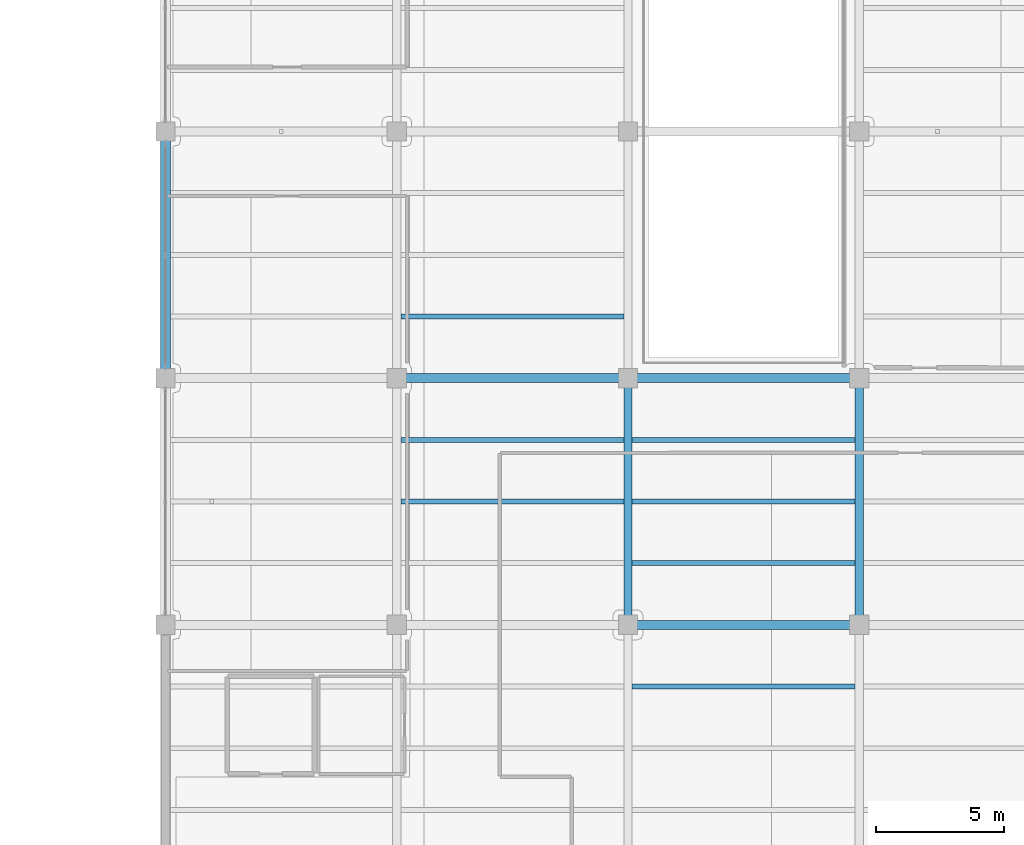
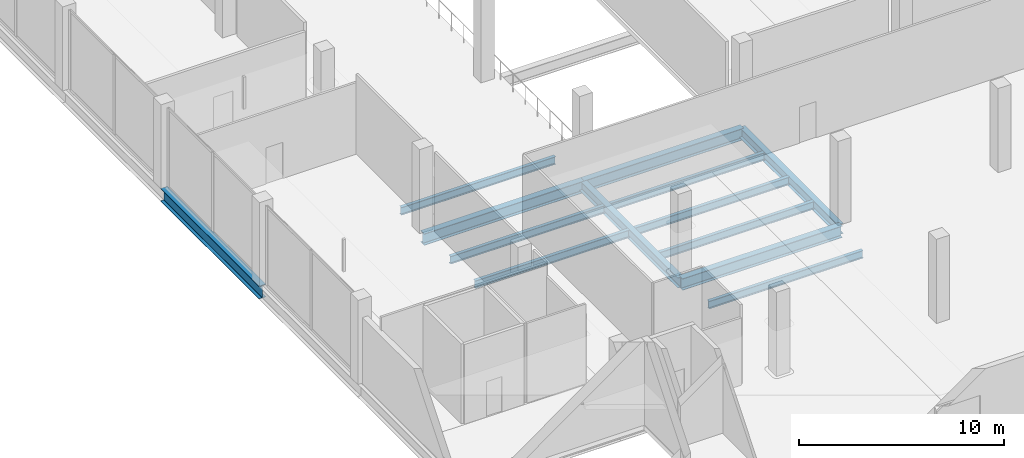
# One storey, part 6 of 47: 13 beams.
"""IFC4 building model written with IfcOpenShell, lengths in metres."""

import ifcopenshell
import ifcopenshell.guid

model = None  # the IFC model being written
_history = None  # IfcOwnerHistory: only IFC2X3 demands one
_inside = {}  # id of a spatial element -> (the spatial element, [elements in it])
_under = {}  # id of a project, library or spatial element -> (it, [spatial elements below it])
_declared = {}  # id of a project -> (the project, [libraries it declares])
_typed = {}  # id of a type object -> (the type object, [elements of that type])
_made_of = {}  # id of a material, layer set ... -> (it, [elements and type objects made of it])


def new_model(schema):
    """Start an empty IFC model of exactly this schema.

    Asked for "IFC4X3", IfcOpenShell would pick the latest addendum, in which some entities
    have other attributes; the version numbers below select the first issue.
    IFC2X3 requires an IfcOwnerHistory on every rooted entity: one is made here for all.
    """
    global model, _history
    if schema == "IFC4X3":
        model = ifcopenshell.file(schema_version=(4, 3, 0, 0))
    else:
        model = ifcopenshell.file(schema=schema)
    _inside.clear()
    _under.clear()
    _declared.clear()
    _typed.clear()
    _made_of.clear()
    _history = None
    if model.schema == "IFC2X3":
        org = make("IfcOrganization", Name="unknown")
        user = make(
            "IfcPersonAndOrganization",
            ThePerson=make("IfcPerson", FamilyName="unknown"),
            TheOrganization=org,
        )
        app = make(
            "IfcApplication",
            ApplicationDeveloper=org,
            Version="unknown",
            ApplicationFullName="unknown",
            ApplicationIdentifier="unknown",
        )
        _history = make(
            "IfcOwnerHistory",
            OwningUser=user,
            OwningApplication=app,
            ChangeAction="ADDED",
            CreationDate=0,
        )
    return model


def make(cls, **values):
    """One entity of the class cls with the attributes given. An attribute that is None is left unset."""
    return model.create_entity(
        cls, **{name: value for name, value in values.items() if value is not None}
    )


def rooted(cls, **values):
    """An entity with a GlobalId (a new one), such as an element, a storey or a relation."""
    return make(cls, GlobalId=ifcopenshell.guid.new(), OwnerHistory=_history, **values)


def si_unit(unit_type, name, prefix=None):
    """IfcSIUnit, for example si_unit("LENGTHUNIT", "METRE", prefix="MILLI")."""
    return make("IfcSIUnit", UnitType=unit_type, Prefix=prefix, Name=name)


def assignment(units):
    """IfcUnitAssignment: the units of a project."""
    return None if units is None else make("IfcUnitAssignment", Units=units)


def point(xyz):
    """IfcCartesianPoint."""
    return None if xyz is None else make("IfcCartesianPoint", Coordinates=xyz)


def direction(xyz):
    """IfcDirection."""
    return None if xyz is None else make("IfcDirection", DirectionRatios=xyz)


def frame(location, z_axis=None, x_axis=None):
    """IfcAxis2Placement3D, a coordinate frame: its origin and axes. An axis left out is left unset."""
    return make(
        "IfcAxis2Placement3D",
        Location=point(location),
        Axis=direction(z_axis),
        RefDirection=direction(x_axis),
    )


def frame_2d(location, x_axis=None):
    """IfcAxis2Placement2D, a coordinate frame in the plane: its origin and x axis."""
    return make(
        "IfcAxis2Placement2D", Location=point(location), RefDirection=direction(x_axis)
    )


def origin():
    """The frame at (0, 0, 0) with its axes left unset."""
    return frame((0.0, 0.0, 0.0))


def origin_2d():
    """The frame at (0, 0) in the plane with its x axis left unset."""
    return frame_2d((0.0, 0.0))


def place(relative_to, where):
    """IfcLocalPlacement: puts the frame where relative to a parent placement (None: the world)."""
    return make(
        "IfcLocalPlacement", PlacementRelTo=relative_to, RelativePlacement=where
    )


def context(
    kind, dimensions, precision=None, world=None, true_north=None, identifier=None
):
    """IfcGeometricRepresentationContext, for example the 3D "Model" context."""
    return make(
        "IfcGeometricRepresentationContext",
        ContextIdentifier=identifier,
        ContextType=kind,
        CoordinateSpaceDimension=dimensions,
        Precision=precision,
        WorldCoordinateSystem=world,
        TrueNorth=true_north,
    )


def subcontext(parent, identifier, kind, view, scale=None):
    """IfcGeometricRepresentationSubContext, for example "Body" below "Model"."""
    return make(
        "IfcGeometricRepresentationSubContext",
        ContextIdentifier=identifier,
        ContextType=kind,
        ParentContext=parent,
        TargetScale=scale,
        TargetView=view,
    )


def project(units=None, contexts=None):
    """IfcProject with its units and contexts."""
    return rooted(
        "IfcProject",
        Name="project",
        RepresentationContexts=contexts,
        UnitsInContext=assignment(units),
    )


def spatial(cls, under=None, at=None, **own):
    """A site, building, storey or space (cls), placed at a placement, below another one or the project."""
    s = rooted(cls, ObjectPlacement=at, **own)
    if under is not None:
        _under.setdefault(under.id(), (under, []))[1].append(s)
    return s


def profile(cls, at=None, kind="AREA", **sizes):
    """A parametric profile (cls). Its sizes go by their IFC names, for example OverallWidth=200.0."""
    return make(cls, ProfileType=kind, Position=at, **sizes)


def i_section(**sizes):
    """IfcIShapeProfileDef."""
    return profile("IfcIShapeProfileDef", **sizes)


def extrude(swept, where, along, depth):
    """IfcExtrudedAreaSolid: the profile swept, set in the frame where, extruded along a direction by depth."""
    return make(
        "IfcExtrudedAreaSolid",
        SweptArea=swept,
        Position=where,
        ExtrudedDirection=direction(along),
        Depth=depth,
    )


def shape(context_of_items, identifier, shape_type, items):
    """IfcShapeRepresentation: the items that make up one representation, for example the "Body"."""
    return make(
        "IfcShapeRepresentation",
        ContextOfItems=context_of_items,
        RepresentationIdentifier=identifier,
        RepresentationType=shape_type,
        Items=items,
    )


def material(Name=None, Category=None):
    """IfcMaterial."""
    return make("IfcMaterial", Name=Name, Category=Category)


def material_profile(
    of_material, cross_section, Name=None, Category=None, Priority=None
):
    """IfcMaterialProfile: a cross section and its material."""
    return make(
        "IfcMaterialProfile",
        Name=Name,
        Material=of_material,
        Profile=cross_section,
        Priority=Priority,
        Category=Category,
    )


def profile_set(profiles, Name=None, composite=None):
    """IfcMaterialProfileSet."""
    return make(
        "IfcMaterialProfileSet",
        Name=Name,
        MaterialProfiles=profiles,
        CompositeProfile=composite,
    )


def made_of(thing, what):
    """Note that an element or type object is made of a material, layer set ...; save() writes the relation."""
    if what is not None:
        _made_of.setdefault(what.id(), (what, []))[1].append(thing)
    return thing


def type_object(cls, material=None, **own):
    """A type object (cls), such as IfcWallType, which elements share."""
    return made_of(rooted(cls, **own), material)


def element(
    cls,
    number,
    at=None,
    inside=None,
    cuts=None,
    type_object=None,
    material=None,
    context=None,
    identifier="Body",
    shape_type=None,
    held_by="IfcProductDefinitionShape",
    body=None,
    shapes=None,
    **own,
):
    """One element of the class cls, such as IfcWall. Its Tag is "e" and its number.

    at: its placement. inside: the storey or other place that contains it. cuts: it is an
    opening in that element (IfcRelVoidsElement). A single representation is given by context,
    identifier, shape_type and body (its items); several are given by shapes. held_by: the class
    of the entity that holds the representations. save() writes the other relations.
    """
    e = rooted(cls, Tag="e%d" % number, ObjectPlacement=at, **own)
    if body is not None:
        shapes = [shape(context, identifier, shape_type, body)]
    if shapes is not None:
        e.Representation = make(held_by, Representations=shapes)
    if inside is not None:
        _inside.setdefault(inside.id(), (inside, []))[1].append(e)
    if cuts is not None:
        rooted(
            "IfcRelVoidsElement", RelatingBuildingElement=cuts, RelatedOpeningElement=e
        )
    if type_object is not None:
        _typed.setdefault(type_object.id(), (type_object, []))[1].append(e)
    return made_of(e, material)


def aggregate(whole, parts):
    """IfcRelAggregates: a whole, such as a stair, and the parts it consists of."""
    return rooted("IfcRelAggregates", RelatingObject=whole, RelatedObjects=parts)


def save(model, path):
    """Write the relations noted so far, then the file.

    IfcRelAggregates (storeys below a building ...), IfcRelContainedInSpatialStructure (elements
    in a storey), IfcRelDefinesByType, IfcRelAssociatesMaterial and IfcRelDeclares: one each for
    every whole, place, type object, material and project.
    """
    for whole, parts in _under.values():
        aggregate(whole, parts)
    for where, things in _inside.values():
        rooted(
            "IfcRelContainedInSpatialStructure",
            RelatedElements=things,
            RelatingStructure=where,
        )
    for kind, things in _typed.values():
        rooted("IfcRelDefinesByType", RelatedObjects=things, RelatingType=kind)
    for what, things in _made_of.values():
        rooted("IfcRelAssociatesMaterial", RelatedObjects=things, RelatingMaterial=what)
    for by, libraries in _declared.values():
        rooted("IfcRelDeclares", RelatingContext=by, RelatedDefinitions=libraries)
    model.write(path)


model = new_model("IFC4")

# Units and contexts
model_context = context("Model", 3, precision=1e-05, world=origin(), true_north=direction((0.0, 1.0)))
body_context = subcontext(model_context, "Body", "Model", "MODEL_VIEW")
ifc_project = project(units=[si_unit("LENGTHUNIT", "METRE"), si_unit("AREAUNIT", "SQUARE_METRE"), si_unit("VOLUMEUNIT", "CUBIC_METRE"), si_unit("PLANEANGLEUNIT", "RADIAN"), si_unit("MASSUNIT", "GRAM", prefix="KILO")], contexts=[model_context])

# Site, building, storey
site_placement = place(None, origin())
site = spatial("IfcSite", under=ifc_project, at=site_placement, CompositionType="ELEMENT")
building_placement = place(site_placement, origin())
building = spatial("IfcBuilding", under=site, at=building_placement, Name="Qorvath Tower", CompositionType="ELEMENT")
storey_placement = place(building_placement, frame((0.0, 0.0, 12.0)))
storey = spatial("IfcBuildingStorey", under=building, at=storey_placement, Name="L02", CompositionType="ELEMENT", Elevation=12.0)

# Beams
ifc_material_1 = material(Name="Steel ASTM A992 Grade 50", Category="steel")
ifc_material_profile_1 = material_profile(ifc_material_1, i_section(OverallWidth=0.381103515625, OverallDepth=0.77294921875, WebThickness=0.0166015625, FlangeThickness=0.027099609375, FilletRadius=0.01904296875, at=origin_2d()), Name="W30x173")
ifc_profile_set_1 = profile_set([ifc_material_profile_1], Name="Steel ASTM A992 Grade 50")
beam_type_1 = type_object("IfcBeamType", Name="BM-FG3", PredefinedType="BEAM", material=ifc_profile_set_1)
beam_placement = place(storey_placement, frame((32.39990234375, -9.60009765625, -0.646484375), z_axis=(0.0, 1.0, 0.0), x_axis=(-1.0, 0.0, 0.0)))
element("IfcBeam", 1, at=beam_placement, inside=storey, type_object=beam_type_1, Name="Library N-S Girder L02-1-4", PredefinedType="BEAM", context=body_context, shape_type="SweptSolid", body=[
    extrude(i_section(OverallWidth=0.381103515625, OverallDepth=0.77294921875, WebThickness=0.0166015625, FlangeThickness=0.027099609375, FilletRadius=0.01904296875, at=origin_2d()), origin(), (0.0, 0.0, 1.0), 9.60009765625),
])
ifc_material_2 = material(Name="Steel ASTM A992 Grade 50", Category="steel")
ifc_material_profile_2 = material_profile(ifc_material_2, i_section(OverallWidth=0.35595703125, OverallDepth=0.696044921875, WebThickness=0.015380859375, FlangeThickness=0.02490234375, FilletRadius=0.01806640625, at=origin_2d()), Name="W27x146")
ifc_profile_set_2 = profile_set([ifc_material_profile_2], Name="Steel ASTM A992 Grade 50")
beam_type_2 = type_object("IfcBeamType", Name="BM-FG4", PredefinedType="BEAM", material=ifc_profile_set_2)
for number, where, z_axis, x_axis, name in (
    (2, (50.39990234375, -19.199951171875, -0.60791015625), (1.0, 0.0, 0.0), (0.0, 1.0, 0.0), "Library E-W Girder L02-3-3"),
    (3, (41.39990234375, -9.60009765625, -0.60791015625), (1.0, 0.0, 0.0), (0.0, 1.0, 0.0), "Library E-W Girder L02-4-2"),
    (4, (50.39990234375, -9.60009765625, -0.60791015625), (1.0, 0.0, 0.0), (0.0, 1.0, 0.0), "Library E-W Girder L02-4-3"),
):
    element("IfcBeam", number, at=place(storey_placement, frame(where, z_axis=z_axis, x_axis=x_axis)), inside=storey, type_object=beam_type_2, Name=name, PredefinedType="BEAM", context=body_context, shape_type="SweptSolid", body=[
        extrude(i_section(OverallWidth=0.35595703125, OverallDepth=0.696044921875, WebThickness=0.015380859375, FlangeThickness=0.02490234375, FilletRadius=0.01806640625, at=origin_2d()), origin(), (0.0, 0.0, 1.0), 9.0),
    ])
ifc_material_3 = material(Name="Steel ASTM A992 Grade 50", Category="steel")
ifc_material_profile_3 = material_profile(ifc_material_3, i_section(OverallWidth=0.324951171875, OverallDepth=0.615966796875, WebThickness=0.013916015625, FlangeThickness=0.021484375, FilletRadius=0.01611328125, at=origin_2d()), Name="W24x117")
ifc_profile_set_3 = profile_set([ifc_material_profile_3], Name="Steel ASTM A992 Grade 50")
beam_type_3 = type_object("IfcBeamType", Name="BM-FG5", PredefinedType="BEAM", material=ifc_profile_set_3)
for number, where, z_axis, x_axis, name in (
    (5, (50.39990234375, -19.199951171875, -0.568115234375), (0.0, 1.0, 0.0), (-1.0, 0.0, 0.0), "Library N-S Girder L02-3-3"),
    (6, (59.39990234375, -19.199951171875, -0.568115234375), (0.0, 1.0, 0.0), (-1.0, 0.0, 0.0), "Library N-S Girder L02-4-3"),
):
    element("IfcBeam", number, at=place(storey_placement, frame(where, z_axis=z_axis, x_axis=x_axis)), inside=storey, type_object=beam_type_3, Name=name, PredefinedType="BEAM", context=body_context, shape_type="SweptSolid", body=[
        extrude(i_section(OverallWidth=0.324951171875, OverallDepth=0.615966796875, WebThickness=0.013916015625, FlangeThickness=0.021484375, FilletRadius=0.01611328125, at=origin_2d()), origin(), (0.0, 0.0, 1.0), 9.599853515625),
    ])
ifc_material_4 = material(Name="Steel ASTM A992 Grade 50", Category="steel")
ifc_material_profile_4 = material_profile(ifc_material_4, i_section(OverallWidth=0.18994140625, OverallDepth=0.45703125, WebThickness=0.009033203125, FlangeThickness=0.014404296875, FilletRadius=0.011962890625, at=origin_2d()), Name="W18x50")
ifc_profile_set_4 = profile_set([ifc_material_profile_4], Name="Steel ASTM A992 Grade 50")
beam_type_4 = type_object("IfcBeamType", Name="BM-FJ2", PredefinedType="JOIST", material=ifc_profile_set_4)
for number, where, z_axis, x_axis, name in (
    (7, (50.560546875, -21.60009765625, -0.488525390625), (1.0, 0.0, 0.0), (0.0, 1.0, 0.0), "Library Stack Joist L02-2.3-3"),
    (8, (50.560546875, -16.800048828125, -0.488525390625), (1.0, 0.0, 0.0), (0.0, 1.0, 0.0), "Library Stack Joist L02-3.1-3"),
    (9, (41.560546875, -14.39990234375, -0.488525390625), (1.0, 0.0, 0.0), (0.0, 1.0, 0.0), "Library Stack Joist L02-3.2-2"),
    (10, (50.560546875, -14.39990234375, -0.488525390625), (1.0, 0.0, 0.0), (0.0, 1.0, 0.0), "Library Stack Joist L02-3.2-3"),
    (11, (41.560546875, -12.0, -0.488525390625), (1.0, 0.0, 0.0), (0.0, 1.0, 0.0), "Library Stack Joist L02-3.3-2"),
    (12, (50.560546875, -12.0, -0.488525390625), (1.0, 0.0, 0.0), (0.0, 1.0, 0.0), "Library Stack Joist L02-3.3-3"),
    (13, (41.560546875, -7.199951171875, -0.488525390625), (1.0, 0.0, 0.0), (0.0, 1.0, 0.0), "Library Stack Joist L02-4.1-2"),
):
    element("IfcBeam", number, at=place(storey_placement, frame(where, z_axis=z_axis, x_axis=x_axis)), inside=storey, type_object=beam_type_4, Name=name, PredefinedType="JOIST", context=body_context, shape_type="SweptSolid", body=[
        extrude(i_section(OverallWidth=0.18994140625, OverallDepth=0.45703125, WebThickness=0.009033203125, FlangeThickness=0.014404296875, FilletRadius=0.011962890625, at=origin_2d()), origin(), (0.0, 0.0, 1.0), 8.678955078125),
    ])

save(model, "model.ifc")
